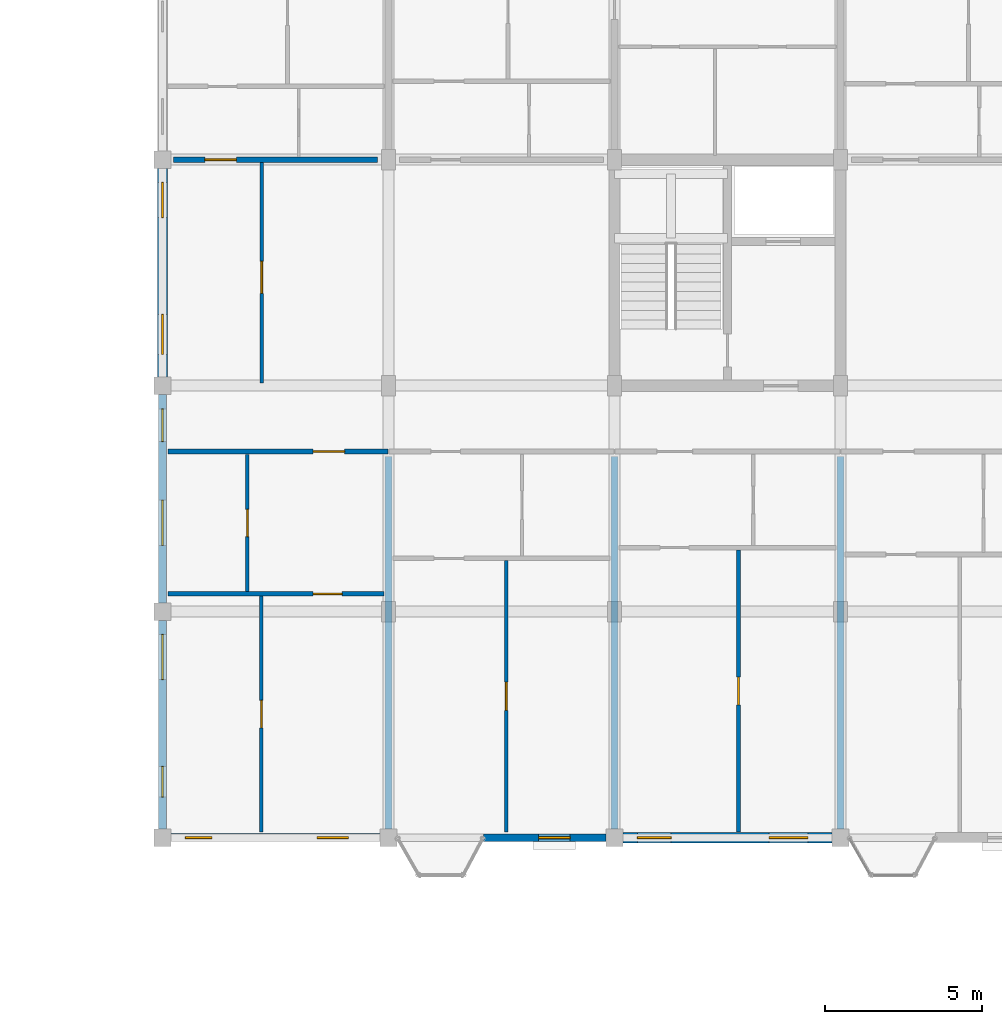
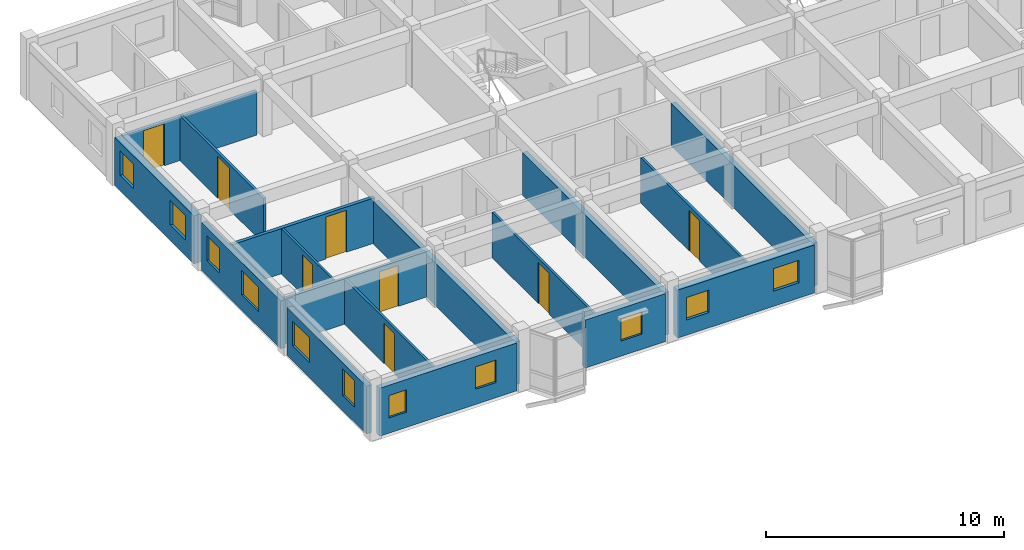
# One storey, part 65 of 77: 17 walls, 11 windows, 8 doors, 19 openings.
"""IFC4 building model written with IfcOpenShell, lengths in metres."""

from ifc_helpers import new_model, si_unit, direction, frame, frame_2d, origin, place, context, subcontext, project, spatial, rectangle, extrude, material, layer, layer_set, type_object, element, fill, save


model = new_model("IFC4")

# Units and contexts
model_context = context("Model", 3, precision=1e-05, world=origin(), true_north=direction((0.0, 1.0)))
body_context = subcontext(model_context, "Body", "Model", "MODEL_VIEW")
ifc_project = project(units=[si_unit("LENGTHUNIT", "METRE"), si_unit("AREAUNIT", "SQUARE_METRE"), si_unit("VOLUMEUNIT", "CUBIC_METRE"), si_unit("PLANEANGLEUNIT", "RADIAN"), si_unit("MASSUNIT", "GRAM", prefix="KILO"), si_unit("THERMODYNAMICTEMPERATUREUNIT", "KELVIN"), si_unit("POWERUNIT", "WATT")], contexts=[model_context])

# Site, building, storey
site_placement = place(None, origin())
site = spatial("IfcSite", under=ifc_project, at=site_placement, CompositionType="ELEMENT")
building_placement = place(site_placement, origin())
building = spatial("IfcBuilding", under=site, at=building_placement, Name="Tavuni Mirador Residences", CompositionType="ELEMENT")
storey_placement = place(building_placement, frame((0.0, 0.0, 17.10009765625)))
storey = spatial("IfcBuildingStorey", under=building, at=storey_placement, Name="L05", CompositionType="ELEMENT", Elevation=17.10009765625)

# Wall, opening, door
ifc_material_1 = material(Name="Precast concrete C40/50", Category="concrete")
ifc_layer_1 = layer(ifc_material_1, 0.1650390625, Name="Precast concrete C40/50", Category="concrete")
ifc_layer_set_1 = layer_set([ifc_layer_1], Name="Precast concrete C40/50")
wall_type_1 = type_object("IfcWallType", Name="WT-CORR165", PredefinedType="PARTITIONING", material=ifc_layer_set_1)
wall_1_placement = place(storey_placement, frame((10.97509765625, 156.300048828125, 0.0), z_axis=(0.0, 0.0, 1.0), x_axis=(1.0, 0.0, 0.0)))
wall_1 = element("IfcWall", 1, at=wall_1_placement, inside=storey, type_object=wall_type_1, Name="CORW-BLK-C-L05-0-00", PredefinedType="PARTITIONING", context=body_context, shape_type="SweptSolid", body=[
    extrude(rectangle(XDim=7.0048828125, YDim=0.1650390625, at=frame_2d((3.50244140625, 0.0))), origin(), (0.0, 0.0, 1.0), 2.31982421875),
])
opening_1_placement = place(wall_1_placement, frame((4.625, 0.0, 0.0)))
opening_1 = element("IfcOpeningElement", 2, at=opening_1_placement, cuts=wall_1, Name="Opening D-03", PredefinedType="OPENING", context=body_context, shape_type="SweptSolid", body=[
    extrude(rectangle(XDim=1.0, YDim=2.14990234375, at=frame_2d((0.5, 1.074951171875))), frame((0.0, 0.092529296875, 0.0), z_axis=(0.0, -1.0, 0.0), x_axis=(1.0, 0.0, 0.0)), (0.0, 0.0, 1.0), 0.18505859375),
])
ifc_material_2 = material(Name="Solid core iroko timber", Category="wood")
door_type_1 = type_object("IfcDoorType", Name="DT-FD60-1000", OperationType="NOTDEFINED", PredefinedType="DOOR", material=ifc_material_2)
door_1_placement = place(opening_1_placement, origin())
door_1 = element("IfcDoor", 3, at=door_1_placement, inside=storey, type_object=door_type_1, Name="DR-2691", OperationType="SINGLE_SWING_RIGHT", OverallHeight=2.14990234375, OverallWidth=1.0, PredefinedType="DOOR", context=body_context, shape_type="SweptSolid", body=[
    extrude(rectangle(XDim=1.0, YDim=2.14990234375, at=frame_2d((0.5, 1.074951171875))), frame((0.0, 0.02490234375, 0.0), z_axis=(0.0, -1.0, 0.0), x_axis=(1.0, 0.0, 0.0)), (0.0, 0.0, 1.0), 0.050048828125),
])
fill(opening_1, door_1)

wall_2_placement = place(storey_placement, frame((11.14990234375, 165.60009765625, 0.0), z_axis=(0.0, 0.0, 1.0), x_axis=(1.0, 0.0, 0.0)))
wall_2 = element("IfcWall", 4, at=wall_2_placement, inside=storey, type_object=wall_type_1, Name="CORW-BLK-C-L05-1-00", PredefinedType="PARTITIONING", context=body_context, shape_type="SweptSolid", body=[
    extrude(rectangle(XDim=6.5, YDim=0.1650390625, at=frame_2d((3.25, 0.0))), origin(), (0.0, 0.0, 1.0), 2.23486328125),
])
opening_2_placement = place(wall_2_placement, frame((1.0, 0.0, 0.0)))
opening_2 = element("IfcOpeningElement", 5, at=opening_2_placement, cuts=wall_2, Name="Opening D-03", PredefinedType="OPENING", context=body_context, shape_type="SweptSolid", body=[
    extrude(rectangle(XDim=1.0, YDim=2.14990234375, at=frame_2d((0.5, 1.074951171875))), frame((0.0, 0.092529296875, 0.0), z_axis=(0.0, -1.0, 0.0), x_axis=(1.0, 0.0, 0.0)), (0.0, 0.0, 1.0), 0.18505859375),
])
door_2_placement = place(opening_2_placement, origin())
door_2 = element("IfcDoor", 6, at=door_2_placement, inside=storey, type_object=door_type_1, Name="DR-2700", OperationType="SINGLE_SWING_LEFT", OverallHeight=2.14990234375, OverallWidth=1.0, PredefinedType="DOOR", context=body_context, shape_type="SweptSolid", body=[
    extrude(rectangle(XDim=1.0, YDim=2.14990234375, at=frame_2d((0.5, 1.074951171875))), frame((0.0, 0.02490234375, 0.0), z_axis=(0.0, -1.0, 0.0), x_axis=(1.0, 0.0, 0.0)), (0.0, 0.0, 1.0), 0.050048828125),
])
fill(opening_2, door_2)

# Wall, openings, windows
ifc_layer_2 = layer(ifc_material_1, 0.330078125, Name="Precast concrete C40/50", Category="concrete")
ifc_layer_set_2 = layer_set([ifc_layer_2], Name="Precast concrete C40/50")
wall_type_2 = type_object("IfcWallType", Name="WT-EXT-COR330", PredefinedType="SOLIDWALL", material=ifc_layer_set_2)
wall_3_placement = place(storey_placement, frame((25.47509765625, 144.0, 0.0), z_axis=(0.0, 0.0, 1.0), x_axis=(1.0, 0.0, 0.0)))
wall_3 = element("IfcWall", 7, at=wall_3_placement, inside=storey, type_object=wall_type_2, Name="EW-BLK-C-L05-S02", PredefinedType="SOLIDWALL", context=body_context, shape_type="SweptSolid", body=[
    extrude(rectangle(XDim=6.64990234375, YDim=0.330078125, at=frame_2d((3.324951171875, 0.0))), origin(), (0.0, 0.0, 1.0), 2.454833984375),
])
opening_3_placement = place(wall_3_placement, frame((0.449951171875, 0.0, 0.780029296875)))
opening_3 = element("IfcOpeningElement", 8, at=opening_3_placement, cuts=wall_3, Name="Opening WN-04", PredefinedType="OPENING", context=body_context, shape_type="SweptSolid", body=[
    extrude(rectangle(XDim=1.080078125, YDim=1.14990234375, at=frame_2d((0.5400390625, 0.574951171875))), frame((0.0, 0.175048828125, 0.0), z_axis=(0.0, -1.0, 0.0), x_axis=(1.0, 0.0, 0.0)), (0.0, 0.0, 1.0), 0.35009765625),
])
opening_4_placement = place(wall_3_placement, frame((4.64990234375, 0.0, 0.780029296875)))
opening_4 = element("IfcOpeningElement", 9, at=opening_4_placement, cuts=wall_3, Name="Opening WN-06", PredefinedType="OPENING", context=body_context, shape_type="SweptSolid", body=[
    extrude(rectangle(XDim=1.239990234375, YDim=1.14990234375, at=frame_2d((0.6201171875, 0.574951171875))), frame((0.0, 0.175048828125, 0.0), z_axis=(0.0, -1.0, 0.0), x_axis=(1.0, 0.0, 0.0)), (0.0, 0.0, 1.0), 0.35009765625),
])
ifc_material_3 = material(Name="Laminated solar-control glass", Category="glass")
window_type_1 = type_object("IfcWindowType", Name="WNT-04", PartitioningType="SINGLE_PANEL", PredefinedType="WINDOW", material=ifc_material_3)
window_1_placement = place(opening_3_placement, origin())
window_1 = element("IfcWindow", 10, at=window_1_placement, inside=storey, type_object=window_type_1, Name="WIN-1048", OverallHeight=1.14990234375, OverallWidth=1.080078125, PartitioningType="SINGLE_PANEL", PredefinedType="WINDOW", context=body_context, shape_type="SweptSolid", body=[
    extrude(rectangle(XDim=1.080078125, YDim=1.14990234375, at=frame_2d((0.5400390625, 0.574951171875))), frame((0.0, 0.030029296875, 0.0), z_axis=(0.0, -1.0, 0.0), x_axis=(1.0, 0.0, 0.0)), (0.0, 0.0, 1.0), 0.06005859375),
])
fill(opening_3, window_1)
window_type_2 = type_object("IfcWindowType", Name="WNT-06", PartitioningType="SINGLE_PANEL", PredefinedType="WINDOW", material=ifc_material_3)
window_2_placement = place(opening_4_placement, origin())
window_2 = element("IfcWindow", 11, at=window_2_placement, inside=storey, type_object=window_type_2, Name="WIN-1049", OverallHeight=1.14990234375, OverallWidth=1.239990234375, PartitioningType="SINGLE_PANEL", PredefinedType="WINDOW", context=body_context, shape_type="SweptSolid", body=[
    extrude(rectangle(XDim=1.239990234375, YDim=1.14990234375, at=frame_2d((0.6201171875, 0.574951171875))), frame((0.0, 0.030029296875, 0.0), z_axis=(0.0, -1.0, 0.0), x_axis=(1.0, 0.0, 0.0)), (0.0, 0.0, 1.0), 0.06005859375),
])
fill(opening_4, window_2)

wall_4_placement = place(storey_placement, frame((10.800048828125, 165.324951171875, 0.0), z_axis=(0.0, 0.0, 1.0), x_axis=(0.0, -1.0, 0.0)))
wall_4 = element("IfcWall", 12, at=wall_4_placement, inside=storey, type_object=wall_type_2, Name="EW-BLK-C-L05-W02", PredefinedType="SOLIDWALL", context=body_context, shape_type="SweptSolid", body=[
    extrude(rectangle(XDim=6.64990234375, YDim=0.330078125, at=frame_2d((3.324951171875, 0.0))), origin(), (0.0, 0.0, 1.0), 2.454833984375),
])
opening_5_placement = place(wall_4_placement, frame((0.449951171875, 0.0, 0.780029296875)))
opening_5 = element("IfcOpeningElement", 13, at=opening_5_placement, cuts=wall_4, Name="Opening WN-12", PredefinedType="OPENING", context=body_context, shape_type="SweptSolid", body=[
    extrude(rectangle(XDim=1.1201171875, YDim=1.260009765625, at=frame_2d((0.56005859375, 0.6298828125))), frame((0.0, 0.175048828125, 0.0), z_axis=(0.0, -1.0, 0.0), x_axis=(1.0, 0.0, 0.0)), (0.0, 0.0, 1.0), 0.35009765625),
])
opening_6_placement = place(wall_4_placement, frame((4.64990234375, 0.0, 0.780029296875)))
opening_6 = element("IfcOpeningElement", 14, at=opening_6_placement, cuts=wall_4, Name="Opening WN-14", PredefinedType="OPENING", context=body_context, shape_type="SweptSolid", body=[
    extrude(rectangle(XDim=1.280029296875, YDim=1.260009765625, at=frame_2d((0.64013671875, 0.6298828125))), frame((0.0, 0.175048828125, 0.0), z_axis=(0.0, -1.0, 0.0), x_axis=(1.0, 0.0, 0.0)), (0.0, 0.0, 1.0), 0.35009765625),
])
window_type_3 = type_object("IfcWindowType", Name="WNT-12", PartitioningType="SINGLE_PANEL", PredefinedType="WINDOW", material=ifc_material_3)
window_3_placement = place(opening_5_placement, origin())
window_3 = element("IfcWindow", 15, at=window_3_placement, inside=storey, type_object=window_type_3, Name="WIN-1086", OverallHeight=1.260009765625, OverallWidth=1.1201171875, PartitioningType="SINGLE_PANEL", PredefinedType="WINDOW", context=body_context, shape_type="SweptSolid", body=[
    extrude(rectangle(XDim=1.1201171875, YDim=1.260009765625, at=frame_2d((0.56005859375, 0.6298828125))), frame((0.0, 0.030029296875, 0.0), z_axis=(0.0, -1.0, 0.0), x_axis=(1.0, 0.0, 0.0)), (0.0, 0.0, 1.0), 0.06005859375),
])
fill(opening_5, window_3)
window_type_4 = type_object("IfcWindowType", Name="WNT-14", PartitioningType="SINGLE_PANEL", PredefinedType="WINDOW", material=ifc_material_3)
window_4_placement = place(opening_6_placement, origin())
window_4 = element("IfcWindow", 16, at=window_4_placement, inside=storey, type_object=window_type_4, Name="WIN-1087", OverallHeight=1.260009765625, OverallWidth=1.280029296875, PartitioningType="SINGLE_PANEL", PredefinedType="WINDOW", context=body_context, shape_type="SweptSolid", body=[
    extrude(rectangle(XDim=1.280029296875, YDim=1.260009765625, at=frame_2d((0.64013671875, 0.6298828125))), frame((0.0, 0.030029296875, 0.0), z_axis=(0.0, -1.0, 0.0), x_axis=(1.0, 0.0, 0.0)), (0.0, 0.0, 1.0), 0.06005859375),
])
fill(opening_6, window_4)

# Wall, opening, window
ifc_material_4 = material(Name="Sgraffito lime-rendered precast concrete C40/50", Category="concrete")
ifc_layer_3 = layer(ifc_material_4, 0.2451171875, Name="Sgraffito lime-rendered precast concrete C40/50", Category="concrete")
ifc_layer_set_3 = layer_set([ifc_layer_3], Name="Sgraffito lime-rendered precast concrete C40/50")
wall_type_3 = type_object("IfcWallType", Name="WT-EXT-PC245", PredefinedType="SOLIDWALL", material=ifc_layer_set_3)
wall_5_placement = place(storey_placement, frame((21.02001953125, 144.0, 0.0), z_axis=(0.0, 0.0, 1.0), x_axis=(1.0, 0.0, 0.0)))
wall_5 = element("IfcWall", 17, at=wall_5_placement, inside=storey, type_object=wall_type_3, Name="EW-BLK-C-L05-S01", PredefinedType="SOLIDWALL", context=body_context, shape_type="SweptSolid", body=[
    extrude(rectangle(XDim=3.905029296875, YDim=0.2451171875, at=frame_2d((1.95263671875, 0.0))), origin(), (0.0, 0.0, 1.0), 2.454833984375),
])
opening_7_placement = place(wall_5_placement, frame((1.762451171875, 0.0, 0.780029296875)))
opening_7 = element("IfcOpeningElement", 18, at=opening_7_placement, cuts=wall_5, Name="Opening WN-03", PredefinedType="OPENING", context=body_context, shape_type="SweptSolid", body=[
    extrude(rectangle(XDim=1.0, YDim=1.14990234375, at=frame_2d((0.5, 0.574951171875))), frame((0.0, 0.132568359375, 0.0), z_axis=(0.0, -1.0, 0.0), x_axis=(1.0, 0.0, 0.0)), (0.0, 0.0, 1.0), 0.26513671875),
])
window_type_5 = type_object("IfcWindowType", Name="WNT-03", PartitioningType="SINGLE_PANEL", PredefinedType="WINDOW", material=ifc_material_3)
window_5_placement = place(opening_7_placement, origin())
window_5 = element("IfcWindow", 19, at=window_5_placement, inside=storey, type_object=window_type_5, Name="WIN-1047", OverallHeight=1.14990234375, OverallWidth=1.0, PartitioningType="SINGLE_PANEL", PredefinedType="WINDOW", context=body_context, shape_type="SweptSolid", body=[
    extrude(rectangle(XDim=1.0, YDim=1.14990234375, at=frame_2d((0.5, 0.574951171875))), frame((0.0, 0.030029296875, 0.0), z_axis=(0.0, -1.0, 0.0), x_axis=(1.0, 0.0, 0.0)), (0.0, 0.0, 1.0), 0.06005859375),
])
fill(opening_7, window_5)

# Wall, openings, windows
wall_6_placement = place(storey_placement, frame((10.800048828125, 158.125, 0.0), z_axis=(0.0, 0.0, 1.0), x_axis=(0.0, -1.0, 0.0)))
wall_6 = element("IfcWall", 20, at=wall_6_placement, inside=storey, type_object=wall_type_3, Name="EW-BLK-C-L05-W01", PredefinedType="SOLIDWALL", context=body_context, shape_type="SweptSolid", body=[
    extrude(rectangle(XDim=6.64990234375, YDim=0.2451171875, at=frame_2d((3.324951171875, 0.0))), origin(), (0.0, 0.0, 1.0), 2.454833984375),
])
opening_8_placement = place(wall_6_placement, frame((0.46240234375, 0.0, 0.780029296875)))
opening_8 = element("IfcOpeningElement", 21, at=opening_8_placement, cuts=wall_6, Name="Opening WN-11", PredefinedType="OPENING", context=body_context, shape_type="SweptSolid", body=[
    extrude(rectangle(XDim=1.0400390625, YDim=1.260009765625, at=frame_2d((0.52001953125, 0.6298828125))), frame((0.0, 0.132568359375, 0.0), z_axis=(0.0, -1.0, 0.0), x_axis=(1.0, 0.0, 0.0)), (0.0, 0.0, 1.0), 0.26513671875),
])
opening_9_placement = place(wall_6_placement, frame((3.3701171875, 0.0, 0.780029296875)))
opening_9 = element("IfcOpeningElement", 22, at=opening_9_placement, cuts=wall_6, Name="Opening WN-16", PredefinedType="OPENING", context=body_context, shape_type="SweptSolid", body=[
    extrude(rectangle(XDim=1.43994140625, YDim=1.260009765625, at=frame_2d((0.719970703125, 0.6298828125))), frame((0.0, 0.132568359375, 0.0), z_axis=(0.0, -1.0, 0.0), x_axis=(1.0, 0.0, 0.0)), (0.0, 0.0, 1.0), 0.26513671875),
])
window_type_6 = type_object("IfcWindowType", Name="WNT-11", PartitioningType="SINGLE_PANEL", PredefinedType="WINDOW", material=ifc_material_3)
window_6_placement = place(opening_8_placement, origin())
window_6 = element("IfcWindow", 23, at=window_6_placement, inside=storey, type_object=window_type_6, Name="WIN-1088", OverallHeight=1.260009765625, OverallWidth=1.0400390625, PartitioningType="SINGLE_PANEL", PredefinedType="WINDOW", context=body_context, shape_type="SweptSolid", body=[
    extrude(rectangle(XDim=1.0400390625, YDim=1.260009765625, at=frame_2d((0.52001953125, 0.6298828125))), frame((0.0, 0.030029296875, 0.0), z_axis=(0.0, -1.0, 0.0), x_axis=(1.0, 0.0, 0.0)), (0.0, 0.0, 1.0), 0.06005859375),
])
fill(opening_8, window_6)
window_type_7 = type_object("IfcWindowType", Name="WNT-16", PartitioningType="SINGLE_PANEL", PredefinedType="WINDOW", material=ifc_material_3)
window_7_placement = place(opening_9_placement, origin())
window_7 = element("IfcWindow", 24, at=window_7_placement, inside=storey, type_object=window_type_7, Name="WIN-1089", OverallHeight=1.260009765625, OverallWidth=1.43994140625, PartitioningType="SINGLE_PANEL", PredefinedType="WINDOW", context=body_context, shape_type="SweptSolid", body=[
    extrude(rectangle(XDim=1.43994140625, YDim=1.260009765625, at=frame_2d((0.719970703125, 0.6298828125))), frame((0.0, 0.030029296875, 0.0), z_axis=(0.0, -1.0, 0.0), x_axis=(1.0, 0.0, 0.0)), (0.0, 0.0, 1.0), 0.06005859375),
])
fill(opening_9, window_7)

ifc_layer_4 = layer(ifc_material_4, 0.2548828125, Name="Sgraffito lime-rendered precast concrete C40/50", Category="concrete")
ifc_layer_set_4 = layer_set([ifc_layer_4], Name="Sgraffito lime-rendered precast concrete C40/50")
wall_type_4 = type_object("IfcWallType", Name="WT-EXT-PC255", PredefinedType="SOLIDWALL", material=ifc_layer_set_4)
wall_7_placement = place(storey_placement, frame((11.074951171875, 144.0, 0.0), z_axis=(0.0, 0.0, 1.0), x_axis=(1.0, 0.0, 0.0)))
wall_7 = element("IfcWall", 25, at=wall_7_placement, inside=storey, type_object=wall_type_4, Name="EW-BLK-C-L05-S00", PredefinedType="SOLIDWALL", context=body_context, shape_type="SweptSolid", body=[
    extrude(rectangle(XDim=6.650146484375, YDim=0.2548828125, at=frame_2d((3.3251953125, 0.0))), origin(), (0.0, 0.0, 1.0), 2.454833984375),
])
opening_10_placement = place(wall_7_placement, frame((0.449951171875, 0.0, 0.780029296875)))
opening_10 = element("IfcOpeningElement", 26, at=opening_10_placement, cuts=wall_7, Name="Opening WN-01", PredefinedType="OPENING", context=body_context, shape_type="SweptSolid", body=[
    extrude(rectangle(XDim=0.85009765625, YDim=1.14990234375, at=frame_2d((0.425048828125, 0.574951171875))), frame((0.0, 0.137451171875, 0.0), z_axis=(0.0, -1.0, 0.0), x_axis=(1.0, 0.0, 0.0)), (0.0, 0.0, 1.0), 0.27490234375),
])
opening_11_placement = place(wall_7_placement, frame((4.64990234375, 0.0, 0.780029296875)))
opening_11 = element("IfcOpeningElement", 27, at=opening_11_placement, cuts=wall_7, Name="Opening WN-03", PredefinedType="OPENING", context=body_context, shape_type="SweptSolid", body=[
    extrude(rectangle(XDim=1.0, YDim=1.14990234375, at=frame_2d((0.5, 0.574951171875))), frame((0.0, 0.137451171875, 0.0), z_axis=(0.0, -1.0, 0.0), x_axis=(1.0, 0.0, 0.0)), (0.0, 0.0, 1.0), 0.27490234375),
])
window_type_8 = type_object("IfcWindowType", Name="WNT-01", PartitioningType="SINGLE_PANEL", PredefinedType="WINDOW", material=ifc_material_3)
window_8_placement = place(opening_10_placement, origin())
window_8 = element("IfcWindow", 28, at=window_8_placement, inside=storey, type_object=window_type_8, Name="WIN-1045", OverallHeight=1.14990234375, OverallWidth=0.85009765625, PartitioningType="SINGLE_PANEL", PredefinedType="WINDOW", context=body_context, shape_type="SweptSolid", body=[
    extrude(rectangle(XDim=0.85009765625, YDim=1.14990234375, at=frame_2d((0.425048828125, 0.574951171875))), frame((0.0, 0.030029296875, 0.0), z_axis=(0.0, -1.0, 0.0), x_axis=(1.0, 0.0, 0.0)), (0.0, 0.0, 1.0), 0.06005859375),
])
fill(opening_10, window_8)
window_9_placement = place(opening_11_placement, origin())
window_9 = element("IfcWindow", 29, at=window_9_placement, inside=storey, type_object=window_type_5, Name="WIN-1046", OverallHeight=1.14990234375, OverallWidth=1.0, PartitioningType="SINGLE_PANEL", PredefinedType="WINDOW", context=body_context, shape_type="SweptSolid", body=[
    extrude(rectangle(XDim=1.0, YDim=1.14990234375, at=frame_2d((0.5, 0.574951171875))), frame((0.0, 0.030029296875, 0.0), z_axis=(0.0, -1.0, 0.0), x_axis=(1.0, 0.0, 0.0)), (0.0, 0.0, 1.0), 0.06005859375),
])
fill(opening_11, window_9)

wall_8_placement = place(storey_placement, frame((10.800048828125, 150.925048828125, 0.0), z_axis=(0.0, 0.0, 1.0), x_axis=(0.0, -1.0, 0.0)))
wall_8 = element("IfcWall", 30, at=wall_8_placement, inside=storey, type_object=wall_type_4, Name="EW-BLK-C-L05-W00", PredefinedType="SOLIDWALL", context=body_context, shape_type="SweptSolid", body=[
    extrude(rectangle(XDim=6.650146484375, YDim=0.2548828125, at=frame_2d((3.3251953125, 0.0))), origin(), (0.0, 0.0, 1.0), 2.454833984375),
])
opening_12_placement = place(wall_8_placement, frame((0.449951171875, 0.0, 0.780029296875)))
opening_12 = element("IfcOpeningElement", 31, at=opening_12_placement, cuts=wall_8, Name="Opening WN-16", PredefinedType="OPENING", context=body_context, shape_type="SweptSolid", body=[
    extrude(rectangle(XDim=1.43994140625, YDim=1.260009765625, at=frame_2d((0.719970703125, 0.6298828125))), frame((0.0, 0.137451171875, 0.0), z_axis=(0.0, -1.0, 0.0), x_axis=(1.0, 0.0, 0.0)), (0.0, 0.0, 1.0), 0.27490234375),
])
opening_13_placement = place(wall_8_placement, frame((4.64990234375, 0.0, 0.780029296875)))
opening_13 = element("IfcOpeningElement", 32, at=opening_13_placement, cuts=wall_8, Name="Opening WN-18", PredefinedType="OPENING", context=body_context, shape_type="SweptSolid", body=[
    extrude(rectangle(XDim=0.97998046875, YDim=1.360107421875, at=frame_2d((0.489990234375, 0.68017578125))), frame((0.0, 0.137451171875, 0.0), z_axis=(0.0, -1.0, 0.0), x_axis=(1.0, 0.0, 0.0)), (0.0, 0.0, 1.0), 0.27490234375),
])
window_10_placement = place(opening_12_placement, origin())
window_10 = element("IfcWindow", 33, at=window_10_placement, inside=storey, type_object=window_type_7, Name="WIN-1090", OverallHeight=1.260009765625, OverallWidth=1.43994140625, PartitioningType="SINGLE_PANEL", PredefinedType="WINDOW", context=body_context, shape_type="SweptSolid", body=[
    extrude(rectangle(XDim=1.43994140625, YDim=1.260009765625, at=frame_2d((0.719970703125, 0.6298828125))), frame((0.0, 0.030029296875, 0.0), z_axis=(0.0, -1.0, 0.0), x_axis=(1.0, 0.0, 0.0)), (0.0, 0.0, 1.0), 0.06005859375),
])
fill(opening_12, window_10)
window_type_9 = type_object("IfcWindowType", Name="WNT-18", PartitioningType="SINGLE_PANEL", PredefinedType="WINDOW", material=ifc_material_3)
window_11_placement = place(opening_13_placement, origin())
window_11 = element("IfcWindow", 34, at=window_11_placement, inside=storey, type_object=window_type_9, Name="WIN-1091", OverallHeight=1.360107421875, OverallWidth=0.97998046875, PartitioningType="SINGLE_PANEL", PredefinedType="WINDOW", context=body_context, shape_type="SweptSolid", body=[
    extrude(rectangle(XDim=0.97998046875, YDim=1.360107421875, at=frame_2d((0.489990234375, 0.68017578125))), frame((0.0, 0.030029296875, 0.0), z_axis=(0.0, -1.0, 0.0), x_axis=(1.0, 0.0, 0.0)), (0.0, 0.0, 1.0), 0.06005859375),
])
fill(opening_13, window_11)

# Wall, opening, door
ifc_material_5 = material(Name="Acoustic gypsum and concrete block partition", Category="concrete")
ifc_layer_5 = layer(ifc_material_5, 0.10498046875, Name="Acoustic gypsum and concrete block partition", Category="concrete")
ifc_layer_set_5 = layer_set([ifc_layer_5], Name="Acoustic gypsum and concrete block partition")
wall_type_5 = type_object("IfcWallType", Name="WT-PART105", PredefinedType="PARTITIONING", material=ifc_layer_set_5)
wall_9_placement = place(storey_placement, frame((13.5, 151.840087890625, 0.0), z_axis=(0.0, 0.0, 1.0), x_axis=(0.0, 1.0, 0.0)))
wall_9 = element("IfcWall", 35, at=wall_9_placement, inside=storey, type_object=wall_type_5, Name="PW-BLK-C-L05-S00-IN1", PredefinedType="PARTITIONING", context=body_context, shape_type="SweptSolid", body=[
    extrude(rectangle(XDim=4.369873046875, YDim=0.10498046875, at=frame_2d((2.18505859375, 0.0))), origin(), (0.0, 0.0, 1.0), 2.31982421875),
])
opening_14_placement = place(wall_9_placement, frame((1.75, 0.0, 0.0)))
opening_14 = element("IfcOpeningElement", 36, at=opening_14_placement, cuts=wall_9, Name="Opening D-10", PredefinedType="OPENING", context=body_context, shape_type="SweptSolid", body=[
    extrude(rectangle(XDim=0.8701171875, YDim=2.050048828125, at=frame_2d((0.43505859375, 1.02490234375))), frame((0.0, 0.0625, 0.0), z_axis=(0.0, -1.0, 0.0), x_axis=(1.0, 0.0, 0.0)), (0.0, 0.0, 1.0), 0.125),
])
door_type_2 = type_object("IfcDoorType", Name="DT-WC870", OperationType="NOTDEFINED", PredefinedType="DOOR", material=ifc_material_2)
door_3_placement = place(opening_14_placement, origin())
door_3 = element("IfcDoor", 37, at=door_3_placement, inside=storey, type_object=door_type_2, Name="DR-3908", OperationType="SINGLE_SWING_RIGHT", OverallHeight=2.050048828125, OverallWidth=0.8701171875, PredefinedType="DOOR", context=body_context, shape_type="SweptSolid", body=[
    extrude(rectangle(XDim=0.8701171875, YDim=2.050048828125, at=frame_2d((0.43505859375, 1.02490234375))), frame((0.0, 0.02490234375, 0.0), z_axis=(0.0, -1.0, 0.0), x_axis=(1.0, 0.0, 0.0)), (0.0, 0.0, 1.0), 0.050048828125),
])
fill(opening_14, door_3)

ifc_layer_6 = layer(ifc_material_5, 0.114990234375, Name="Acoustic gypsum and concrete block partition", Category="concrete")
ifc_layer_set_6 = layer_set([ifc_layer_6], Name="Acoustic gypsum and concrete block partition")
wall_type_6 = type_object("IfcWallType", Name="WT-PART115", PredefinedType="PARTITIONING", material=ifc_layer_set_6)
wall_10_placement = place(storey_placement, frame((13.949951171875, 144.175048828125, 0.0), z_axis=(0.0, 0.0, 1.0), x_axis=(0.0, 1.0, 0.0)))
wall_10 = element("IfcWall", 38, at=wall_10_placement, inside=storey, type_object=wall_type_6, Name="PW-BLK-C-L05-S00-OUT", PredefinedType="PARTITIONING", context=body_context, shape_type="SweptSolid", body=[
    extrude(rectangle(XDim=7.52490234375, YDim=0.114990234375, at=frame_2d((3.762451171875, 0.0))), origin(), (0.0, 0.0, 1.0), 2.31982421875),
])
opening_15_placement = place(wall_10_placement, frame((3.322509765625, 0.0, 0.0)))
opening_15 = element("IfcOpeningElement", 39, at=opening_15_placement, cuts=wall_10, Name="Opening D-08", PredefinedType="OPENING", context=body_context, shape_type="SweptSolid", body=[
    extrude(rectangle(XDim=0.8798828125, YDim=2.080078125, at=frame_2d((0.43994140625, 1.0400390625))), frame((0.0, 0.0673828125, 0.0), z_axis=(0.0, -1.0, 0.0), x_axis=(1.0, 0.0, 0.0)), (0.0, 0.0, 1.0), 0.135009765625),
])
door_type_3 = type_object("IfcDoorType", Name="DT-BED880", OperationType="NOTDEFINED", PredefinedType="DOOR", material=ifc_material_2)
door_4_placement = place(opening_15_placement, origin())
door_4 = element("IfcDoor", 40, at=door_4_placement, inside=storey, type_object=door_type_3, Name="DR-3907", OperationType="SINGLE_SWING_LEFT", OverallHeight=2.080078125, OverallWidth=0.8798828125, PredefinedType="DOOR", context=body_context, shape_type="SweptSolid", body=[
    extrude(rectangle(XDim=0.8798828125, YDim=2.080078125, at=frame_2d((0.43994140625, 1.0400390625))), frame((0.0, 0.02490234375, 0.0), z_axis=(0.0, -1.0, 0.0), x_axis=(1.0, 0.0, 0.0)), (0.0, 0.0, 1.0), 0.050048828125),
])
fill(opening_15, door_4)

wall_11_placement = place(storey_placement, frame((21.75, 144.175048828125, 0.0), z_axis=(0.0, 0.0, 1.0), x_axis=(0.0, 1.0, 0.0)))
wall_11 = element("IfcWall", 41, at=wall_11_placement, inside=storey, type_object=wall_type_6, Name="PW-BLK-C-L05-S01-OUT", PredefinedType="PARTITIONING", context=body_context, shape_type="SweptSolid", body=[
    extrude(rectangle(XDim=8.655029296875, YDim=0.114990234375, at=frame_2d((4.32763671875, 0.0))), origin(), (0.0, 0.0, 1.0), 2.31982421875),
])
opening_16_placement = place(wall_11_placement, frame((3.87744140625, 0.0, 0.0)))
opening_16 = element("IfcOpeningElement", 42, at=opening_16_placement, cuts=wall_11, Name="Opening D-07", PredefinedType="OPENING", context=body_context, shape_type="SweptSolid", body=[
    extrude(rectangle(XDim=0.89990234375, YDim=2.10009765625, at=frame_2d((0.449951171875, 1.050048828125))), frame((0.0, 0.0673828125, 0.0), z_axis=(0.0, -1.0, 0.0), x_axis=(1.0, 0.0, 0.0)), (0.0, 0.0, 1.0), 0.135009765625),
])
door_type_4 = type_object("IfcDoorType", Name="DT-BED900", OperationType="NOTDEFINED", PredefinedType="DOOR", material=ifc_material_2)
door_5_placement = place(opening_16_placement, origin())
door_5 = element("IfcDoor", 43, at=door_5_placement, inside=storey, type_object=door_type_4, Name="DR-3913", OperationType="SINGLE_SWING_RIGHT", OverallHeight=2.10009765625, OverallWidth=0.89990234375, PredefinedType="DOOR", context=body_context, shape_type="SweptSolid", body=[
    extrude(rectangle(XDim=0.89990234375, YDim=2.10009765625, at=frame_2d((0.449951171875, 1.050048828125))), frame((0.0, 0.02490234375, 0.0), z_axis=(0.0, -1.0, 0.0), x_axis=(1.0, 0.0, 0.0)), (0.0, 0.0, 1.0), 0.050048828125),
])
fill(opening_16, door_5)

wall_12_placement = place(storey_placement, frame((29.14990234375, 144.175048828125, 0.0), z_axis=(0.0, 0.0, 1.0), x_axis=(0.0, 1.0, 0.0)))
wall_12 = element("IfcWall", 44, at=wall_12_placement, inside=storey, type_object=wall_type_6, Name="PW-BLK-C-L05-S02-OUT", PredefinedType="PARTITIONING", context=body_context, shape_type="SweptSolid", body=[
    extrude(rectangle(XDim=8.994873046875, YDim=0.114990234375, at=frame_2d((4.49755859375, 0.0))), origin(), (0.0, 0.0, 1.0), 2.31982421875),
])
opening_17_placement = place(wall_12_placement, frame((4.0576171875, 0.0, 0.0)))
opening_17 = element("IfcOpeningElement", 45, at=opening_17_placement, cuts=wall_12, Name="Opening D-08", PredefinedType="OPENING", context=body_context, shape_type="SweptSolid", body=[
    extrude(rectangle(XDim=0.8798828125, YDim=2.080078125, at=frame_2d((0.43994140625, 1.0400390625))), frame((0.0, 0.0673828125, 0.0), z_axis=(0.0, -1.0, 0.0), x_axis=(1.0, 0.0, 0.0)), (0.0, 0.0, 1.0), 0.135009765625),
])
door_6_placement = place(opening_17_placement, origin())
door_6 = element("IfcDoor", 46, at=door_6_placement, inside=storey, type_object=door_type_3, Name="DR-3919", OperationType="SINGLE_SWING_LEFT", OverallHeight=2.080078125, OverallWidth=0.8798828125, PredefinedType="DOOR", context=body_context, shape_type="SweptSolid", body=[
    extrude(rectangle(XDim=0.8798828125, YDim=2.080078125, at=frame_2d((0.43994140625, 1.0400390625))), frame((0.0, 0.02490234375, 0.0), z_axis=(0.0, -1.0, 0.0), x_axis=(1.0, 0.0, 0.0)), (0.0, 0.0, 1.0), 0.050048828125),
])
fill(opening_17, door_6)

ifc_layer_7 = layer(ifc_material_5, 0.125, Name="Acoustic gypsum and concrete block partition", Category="concrete")
ifc_layer_set_7 = layer_set([ifc_layer_7], Name="Acoustic gypsum and concrete block partition")
wall_type_7 = type_object("IfcWallType", Name="WT-PART125", PredefinedType="PARTITIONING", material=ifc_layer_set_7)
wall_13_placement = place(storey_placement, frame((13.9599609375, 158.489990234375, 0.0), z_axis=(0.0, 0.0, 1.0), x_axis=(0.0, 1.0, 0.0)))
wall_13 = element("IfcWall", 47, at=wall_13_placement, inside=storey, type_object=wall_type_7, Name="PW-SPN-BLK-C-L05-00", PredefinedType="PARTITIONING", context=body_context, shape_type="SweptSolid", body=[
    extrude(rectangle(XDim=7.02001953125, YDim=0.125, at=frame_2d((3.510009765625, 0.0))), origin(), (0.0, 0.0, 1.0), 2.31982421875),
])
opening_18_placement = place(wall_13_placement, frame((2.85009765625, 0.0, 0.0)))
opening_18 = element("IfcOpeningElement", 48, at=opening_18_placement, cuts=wall_13, Name="Opening D-13", PredefinedType="OPENING", context=body_context, shape_type="SweptSolid", body=[
    extrude(rectangle(XDim=1.02001953125, YDim=2.14990234375, at=frame_2d((0.510009765625, 1.074951171875))), frame((0.0, 0.072509765625, 0.0), z_axis=(0.0, -1.0, 0.0), x_axis=(1.0, 0.0, 0.0)), (0.0, 0.0, 1.0), 0.14501953125),
])
door_type_5 = type_object("IfcDoorType", Name="DT-MTG1020", OperationType="NOTDEFINED", PredefinedType="DOOR", material=ifc_material_2)
door_7_placement = place(opening_18_placement, origin())
door_7 = element("IfcDoor", 49, at=door_7_placement, inside=storey, type_object=door_type_5, Name="DR-3906", OperationType="SINGLE_SWING_RIGHT", OverallHeight=2.14990234375, OverallWidth=1.02001953125, PredefinedType="DOOR", context=body_context, shape_type="SweptSolid", body=[
    extrude(rectangle(XDim=1.02001953125, YDim=2.14990234375, at=frame_2d((0.510009765625, 1.074951171875))), frame((0.0, 0.02490234375, 0.0), z_axis=(0.0, -1.0, 0.0), x_axis=(1.0, 0.0, 0.0)), (0.0, 0.0, 1.0), 0.050048828125),
])
fill(opening_18, door_7)

ifc_layer_8 = layer(ifc_material_5, 0.139892578125, Name="Acoustic gypsum and concrete block partition", Category="concrete")
ifc_layer_set_8 = layer_set([ifc_layer_8], Name="Acoustic gypsum and concrete block partition")
wall_type_8 = type_object("IfcWallType", Name="WT-PART140", PredefinedType="PARTITIONING", material=ifc_layer_set_8)
wall_14_placement = place(storey_placement, frame((10.97509765625, 151.77001953125, 0.0), z_axis=(0.0, 0.0, 1.0), x_axis=(1.0, 0.0, 0.0)))
wall_14 = element("IfcWall", 50, at=wall_14_placement, inside=storey, type_object=wall_type_8, Name="PW-BLK-C-L05-S00-MID", PredefinedType="PARTITIONING", context=body_context, shape_type="SweptSolid", body=[
    extrude(rectangle(XDim=6.885009765625, YDim=0.139892578125, at=frame_2d((3.4423828125, 0.0))), origin(), (0.0, 0.0, 1.0), 2.31982421875),
])
opening_19_placement = place(wall_14_placement, frame((4.625, 0.0, 0.0)))
opening_19 = element("IfcOpeningElement", 51, at=opening_19_placement, cuts=wall_14, Name="Opening D-06", PredefinedType="OPENING", context=body_context, shape_type="SweptSolid", body=[
    extrude(rectangle(XDim=0.919921875, YDim=2.10009765625, at=frame_2d((0.4599609375, 1.050048828125))), frame((0.0, 0.080078125, 0.0), z_axis=(0.0, -1.0, 0.0), x_axis=(1.0, 0.0, 0.0)), (0.0, 0.0, 1.0), 0.159912109375),
])
door_type_6 = type_object("IfcDoorType", Name="DT-INT920", OperationType="NOTDEFINED", PredefinedType="DOOR", material=ifc_material_2)
door_8_placement = place(opening_19_placement, origin())
door_8 = element("IfcDoor", 52, at=door_8_placement, inside=storey, type_object=door_type_6, Name="DR-3909", OperationType="SINGLE_SWING_RIGHT", OverallHeight=2.10009765625, OverallWidth=0.919921875, PredefinedType="DOOR", context=body_context, shape_type="SweptSolid", body=[
    extrude(rectangle(XDim=0.919921875, YDim=2.10009765625, at=frame_2d((0.4599609375, 1.050048828125))), frame((0.0, 0.02490234375, 0.0), z_axis=(0.0, -1.0, 0.0), x_axis=(1.0, 0.0, 0.0)), (0.0, 0.0, 1.0), 0.050048828125),
])
fill(opening_19, door_8)

# Walls
ifc_layer_9 = layer(ifc_material_1, 0.235107421875, Name="Precast concrete C40/50", Category="concrete")
ifc_layer_set_9 = layer_set([ifc_layer_9], Name="Precast concrete C40/50")
wall_type_9 = type_object("IfcWallType", Name="WT-XW235", PredefinedType="SOLIDWALL", material=ifc_layer_set_9)
for number, where, z_axis, x_axis, name in (
    (53, (18.0, 144.27490234375, 0.0), (0.0, 0.0, 1.0), (0.0, 1.0, 0.0), "XW-BLK-C-L05-S-01"),
    (54, (25.199951171875, 144.27490234375, 0.0), (0.0, 0.0, 1.0), (0.0, 1.0, 0.0), "XW-BLK-C-L05-S-02"),
    (55, (32.39990234375, 144.27490234375, 0.0), (0.0, 0.0, 1.0), (0.0, 1.0, 0.0), "XW-BLK-C-L05-S-03"),
):
    element("IfcWall", number, at=place(storey_placement, frame(where, z_axis=z_axis, x_axis=x_axis)), inside=storey, type_object=wall_type_9, Name=name, PredefinedType="SOLIDWALL", context=body_context, shape_type="SweptSolid", body=[
        extrude(rectangle(XDim=11.875, YDim=0.235107421875, at=frame_2d((5.9375, 0.0))), origin(), (0.0, 0.0, 1.0), 2.184814453125),
    ])

save(model, "model.ifc")
